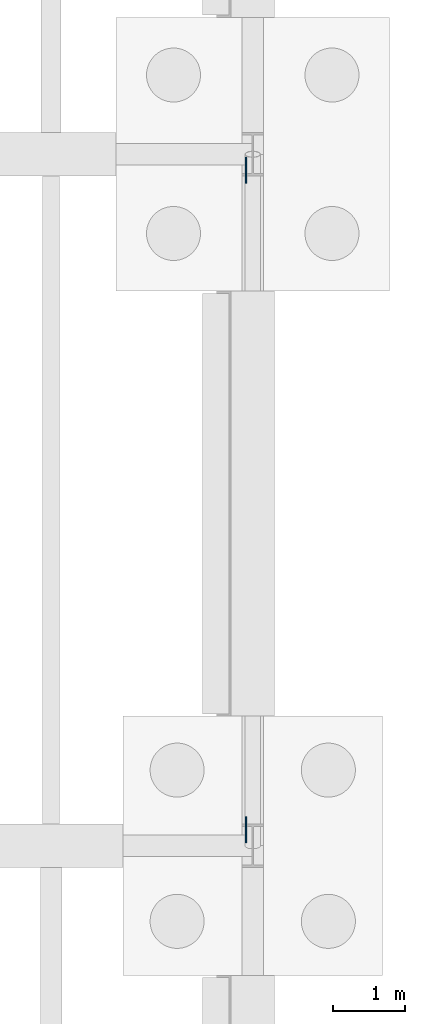
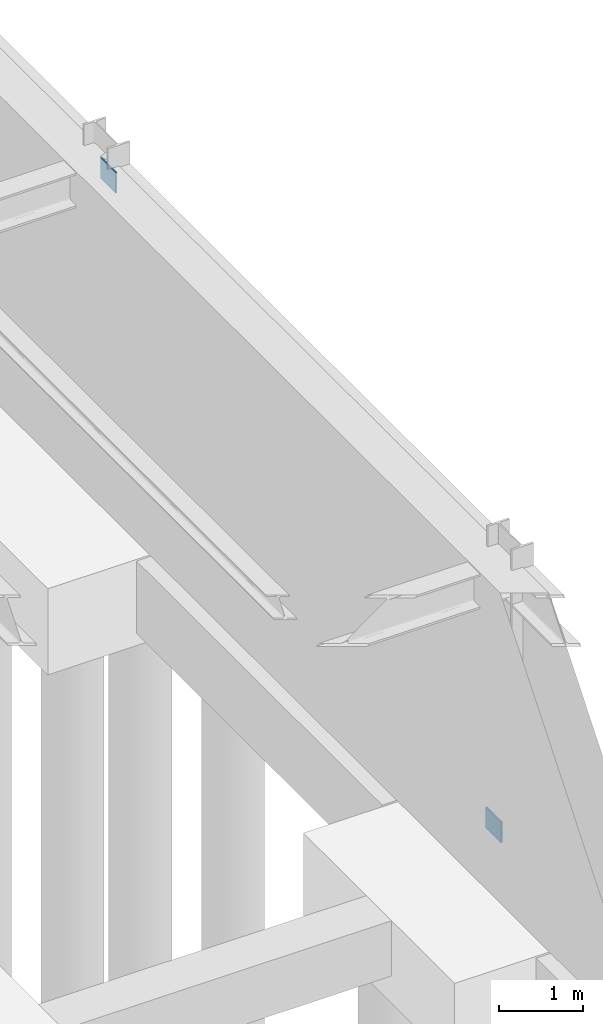
# One storey, part 40 of 59: 2 plates.
"""IFC4 building model written with IfcOpenShell, lengths in metres."""

from ifc_helpers import new_model, si_unit, direction, frame, origin, origin_2d, place, context, subcontext, project, spatial, rectangle, extrude, material, layer, layer_set, type_object, element, save


model = new_model("IFC4")

# Units and contexts
model_context = context("Model", 3, precision=1e-05, world=origin(), true_north=direction((0.0, 1.0)))
body_context = subcontext(model_context, "Body", "Model", "MODEL_VIEW")
ifc_project = project(units=[si_unit("LENGTHUNIT", "METRE"), si_unit("AREAUNIT", "SQUARE_METRE"), si_unit("VOLUMEUNIT", "CUBIC_METRE"), si_unit("PLANEANGLEUNIT", "RADIAN"), si_unit("MASSUNIT", "GRAM", prefix="KILO")], contexts=[model_context])

# Site, building, storey
site_placement = place(None, origin())
site = spatial("IfcSite", under=ifc_project, at=site_placement, CompositionType="ELEMENT")
building_placement = place(site_placement, origin())
building = spatial("IfcBuilding", under=site, at=building_placement, Name="Montealbar Specialist Clinic", CompositionType="ELEMENT")
storey_placement = place(building_placement, frame((0.0, 0.0, -4.800048828125)))
storey = spatial("IfcBuildingStorey", under=building, at=storey_placement, Name="B01", CompositionType="ELEMENT", Elevation=-4.800048828125)

# Plates
ifc_material = material(Name="Steel S355", Category="steel")
ifc_layer = layer(ifc_material, 0.02001953125, Name="Steel S355", Category="steel")
ifc_layer_set = layer_set([ifc_layer], Name="Steel S355")
plate_type = type_object("IfcPlateType", Name="PL-GUSSET-20-EXT", PredefinedType="SHEET", material=ifc_layer_set)
for number, where, z_axis, x_axis, name in (
    (1, (161.905029296875, 62.02001953125, 0.330078125), (0.0, 0.0, 1.0), (0.0, 1.0, 0.0), "Lateral brace gusset plate LB-04-B"),
    (2, (161.905029296875, 71.179931640625, 4.2001953125), (0.0, 0.0, 1.0), (0.0, 1.0, 0.0), "Lateral brace gusset plate LB-04-T"),
):
    element("IfcPlate", number, at=place(storey_placement, frame(where, z_axis=z_axis, x_axis=x_axis)), inside=storey, type_object=plate_type, Name=name, PredefinedType="SHEET", context=body_context, shape_type="SweptSolid", body=[
        extrude(rectangle(XDim=0.360107421875, YDim=0.02001953125, at=origin_2d()), origin(), (0.0, 0.0, 1.0), 0.300048828125),
    ])

save(model, "model.ifc")
